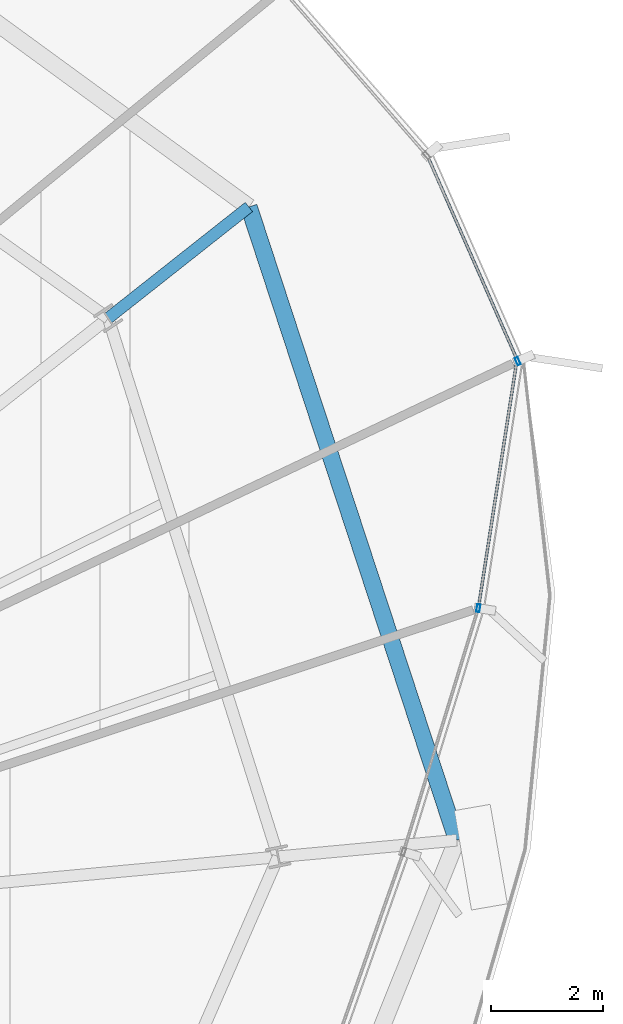
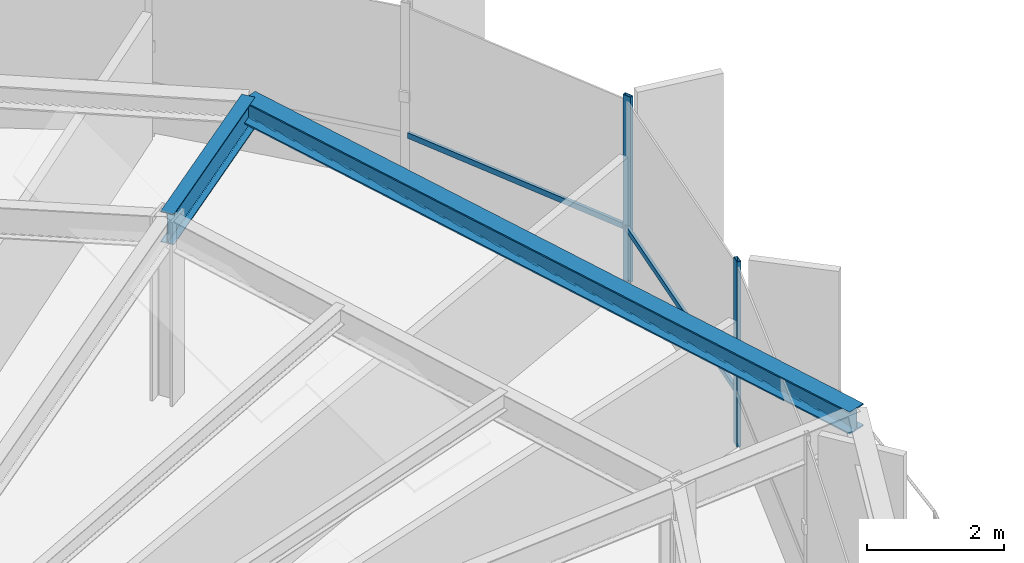
# One storey, part 26 of 36: 4 members, 2 beams, 1 element without a shape of its own.
"""IFC4 building model written with IfcOpenShell, lengths in metres."""

from ifc_helpers import new_model, si_unit, direction, frame, origin, origin_2d, place, context, subcontext, project, spatial, hollow_rectangle, i_section, extrude, source, transform, mapped, material, layer, layer_set, material_profile, profile_set, type_object, element, aggregate, save


model = new_model("IFC4")

# Units and contexts
model_context = context("Model", 3, precision=1e-05, world=origin(), true_north=direction((0.0, 1.0)))
body_context = subcontext(model_context, "Body", "Model", "MODEL_VIEW")
ifc_project = project(units=[si_unit("LENGTHUNIT", "METRE"), si_unit("AREAUNIT", "SQUARE_METRE"), si_unit("VOLUMEUNIT", "CUBIC_METRE"), si_unit("PLANEANGLEUNIT", "RADIAN"), si_unit("MASSUNIT", "GRAM", prefix="KILO"), si_unit("THERMODYNAMICTEMPERATUREUNIT", "KELVIN")], contexts=[model_context])

# Site, building, storey
site_placement = place(None, origin())
site = spatial("IfcSite", under=ifc_project, at=site_placement, CompositionType="ELEMENT")
building_placement = place(site_placement, origin())
building = spatial("IfcBuilding", under=site, at=building_placement, Name="Kethvar Cultural Tower", CompositionType="ELEMENT")
storey_placement = place(building_placement, frame((0.0, 0.0, 164.300048828125)))
storey = spatial("IfcBuildingStorey", under=building, at=storey_placement, Name="L42", CompositionType="ELEMENT", Elevation=164.300048828125)

# Beams
ifc_material_1 = material(Name="Steel S355J2", Category="steel")
ifc_material_profile_1 = material_profile(ifc_material_1, i_section(OverallWidth=0.2099609375, OverallDepth=0.550048828125, WebThickness=0.010986328125, FlangeThickness=0.01708984375, FilletRadius=0.02392578125, at=origin_2d()), Name="Steel S355J2 — IPE550")
ifc_profile_set_1 = profile_set([ifc_material_profile_1], Name="Steel S355J2 — IPE550")
beam_type_1 = type_object("IfcBeamType", Name="BM-IPE550", PredefinedType="BEAM", material=ifc_profile_set_1)
shared_shape_1 = source(origin(), body_context, "Body", "SweptSolid", [
    extrude(i_section(OverallWidth=0.2099609375, OverallDepth=0.550048828125, WebThickness=0.010986328125, FlangeThickness=0.01708984375, FilletRadius=0.02392578125, at=origin_2d()), origin(), (0.0, 0.0, 1.0), 3.2001953125),
])
beam_1_placement = place(storey_placement, frame((68.568603515625, 42.34521484375, 3.02294921875), z_axis=(0.784650322996, 0.619938602301, 0.0), x_axis=(-0.619938602301, 0.784650322996, 0.0)))
element("IfcBeam", 1, at=beam_1_placement, inside=storey, type_object=beam_type_1, Name="L42 Perimeter Cantilever Beam RC-02", PredefinedType="BEAM", context=body_context, shape_type="MappedRepresentation", body=[
    mapped(shared_shape_1, transform((0.0, 0.0, 0.0), scale=1.0)),
])
ifc_material_profile_2 = material_profile(ifc_material_1, i_section(OverallWidth=0.300048828125, OverallDepth=0.39990234375, WebThickness=0.013427734375, FlangeThickness=0.02392578125, FilletRadius=0.027099609375, at=origin_2d()), Name="Steel S355J2 — HEB400")
ifc_profile_set_2 = profile_set([ifc_material_profile_2], Name="Steel S355J2 — HEB400")
beam_type_2 = type_object("IfcBeamType", Name="BM-SP400", PredefinedType="SPANDREL", material=ifc_profile_set_2)
shared_shape_2 = source(origin(), body_context, "Body", "SweptSolid", [
    extrude(i_section(OverallWidth=0.300048828125, OverallDepth=0.39990234375, WebThickness=0.013427734375, FlangeThickness=0.02392578125, FilletRadius=0.027099609375, at=origin_2d()), origin(), (0.0, 0.0, 1.0), 11.8935546875),
])
beam_2_placement = place(storey_placement, frame((74.788818359375, 33.02880859375, 3.097900390625), z_axis=(-0.311870604739, 0.95012458441, 0.0), x_axis=(-0.95012458441, -0.311870604739, 0.0)))
element("IfcBeam", 2, at=beam_2_placement, inside=storey, type_object=beam_type_2, Name="L42 Perimeter Spandrel Beam SP-01", PredefinedType="SPANDREL", context=body_context, shape_type="MappedRepresentation", body=[
    mapped(shared_shape_2, transform((0.0, 0.0, 0.0), scale=1.0)),
])

# Curtain wall, members
ifc_material_2 = material(Name="Aluminium 6063-T6", Category="aluminium")
ifc_layer = layer(ifc_material_2, 0.179931640625, Name="Aluminium 6063-T6", Category="aluminium")
ifc_layer_set = layer_set([ifc_layer], Name="Aluminium 6063-T6 (180 mm)")
curtain_wall_type = type_object("IfcCurtainWallType", Name="CW-SYS-04-Z34", PredefinedType="NOTDEFINED", material=ifc_layer_set)
curtain_wall_placement = place(storey_placement, origin())
curtain_wall = element("IfcCurtainWall", 3, at=curtain_wall_placement, inside=storey, type_object=curtain_wall_type, Name="L42 Curtain Wall Run 07", PredefinedType="NOTDEFINED")
ifc_material_profile_3 = material_profile(ifc_material_2, hollow_rectangle(XDim=0.06005859375, YDim=0.139892578125, WallThickness=0.0048828125, at=origin_2d()), Name="Aluminium 6063-T6 — RHS140x60x5")
ifc_profile_set_3 = profile_set([ifc_material_profile_3], Name="Aluminium 6063-T6 — RHS140x60x5")
member_type_1 = type_object("IfcMemberType", Name="CW-SYS-04-Z34-MUL", PredefinedType="MULLION", material=ifc_profile_set_3)
shared_shape_3 = source(origin(), body_context, "Body", "SweptSolid", [
    extrude(hollow_rectangle(XDim=0.06005859375, YDim=0.139892578125, WallThickness=0.0048828125, at=origin_2d()), origin(), (0.0, 0.0, 1.0), 3.300048828125),
])
member_1_placement = place(storey_placement, frame((75.173583984375, 37.16943359375, 0.0), z_axis=(0.0, 0.0, 1.0), x_axis=(-0.98811865407, 0.153692958454, 0.0)))
member_1 = element("IfcMember", 4, at=member_1_placement, type_object=member_type_1, Name="CW-L42-R07 Mullion 3", PredefinedType="MULLION", context=body_context, shape_type="MappedRepresentation", body=[
    mapped(shared_shape_3, transform((0.0, 0.0, 0.0), scale=1.0)),
])
member_2_placement = place(storey_placement, frame((75.876953125, 41.57763671875, 0.0), z_axis=(0.0, 0.0, 1.0), x_axis=(-0.915332565632, -0.40269876371, 0.0)))
member_2 = element("IfcMember", 5, at=member_2_placement, type_object=member_type_1, Name="CW-L42-R07 Mullion 4", PredefinedType="MULLION", context=body_context, shape_type="MappedRepresentation", body=[
    mapped(shared_shape_3, transform((0.0, 0.0, 0.0), scale=1.0)),
])
ifc_material_profile_4 = material_profile(ifc_material_2, hollow_rectangle(XDim=0.050048828125, YDim=0.10009765625, WallThickness=0.00390625, at=origin_2d()), Name="Aluminium 6063-T6 — RHS100x50x4")
ifc_profile_set_4 = profile_set([ifc_material_profile_4], Name="Aluminium 6063-T6 — RHS100x50x4")
member_type_2 = type_object("IfcMemberType", Name="CW-SYS-04-Z34-TRN", PredefinedType="USERDEFINED", material=ifc_profile_set_4)
shared_shape_4 = source(origin(), body_context, "Body", "SweptSolid", [
    extrude(hollow_rectangle(XDim=0.050048828125, YDim=0.10009765625, WallThickness=0.00390625, at=origin_2d()), origin(), (0.0, 0.0, 1.0), 3.923095703125),
])
member_3_placement = place(storey_placement, frame((75.859619140625, 41.6171875, 0.949951171875), z_axis=(-0.402688562945, 0.915337053371, 0.0), x_axis=(-0.915337053371, -0.402688562945, 0.0)))
member_3 = element("IfcMember", 6, at=member_3_placement, type_object=member_type_2, Name="CW-L42-R07 Transom 4", ObjectType="TRANSOM", PredefinedType="USERDEFINED", context=body_context, shape_type="MappedRepresentation", body=[
    mapped(shared_shape_4, transform((0.0, 0.0, 0.0), scale=1.0)),
])
shared_shape_5 = source(origin(), body_context, "Body", "SweptSolid", [
    extrude(hollow_rectangle(XDim=0.050048828125, YDim=0.10009765625, WallThickness=0.00390625, at=origin_2d()), origin(), (0.0, 0.0, 1.0), 4.436767578125),
])
member_4_placement = place(storey_placement, frame((75.180419921875, 37.212158203125, 0.949951171875), z_axis=(0.153690291225, 0.98811906893, 0.0), x_axis=(-0.98811906893, 0.153690291225, 0.0)))
member_4 = element("IfcMember", 7, at=member_4_placement, type_object=member_type_2, Name="CW-L42-R07 Transom 3", ObjectType="TRANSOM", PredefinedType="USERDEFINED", context=body_context, shape_type="MappedRepresentation", body=[
    mapped(shared_shape_5, transform((0.0, 0.0, 0.0), scale=1.0)),
])
aggregate(curtain_wall, [member_1, member_2, member_4, member_3])

save(model, "model.ifc")
